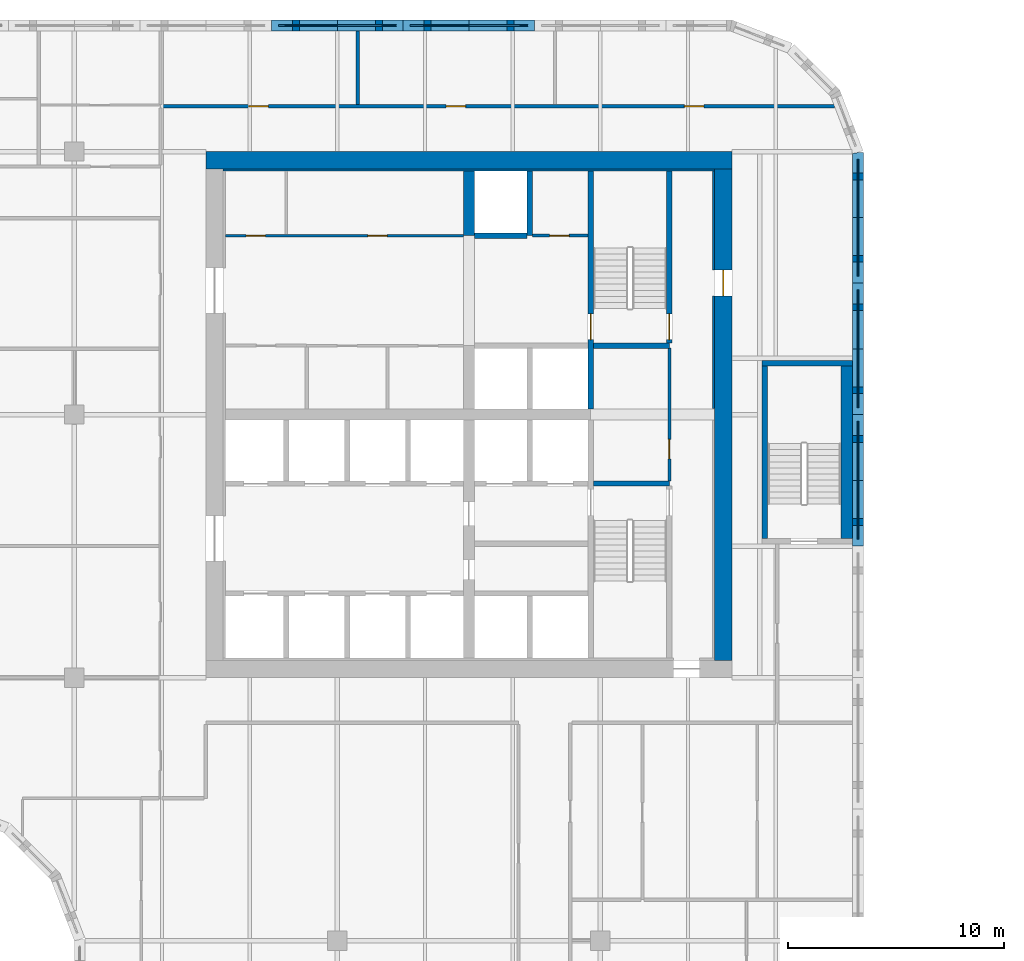
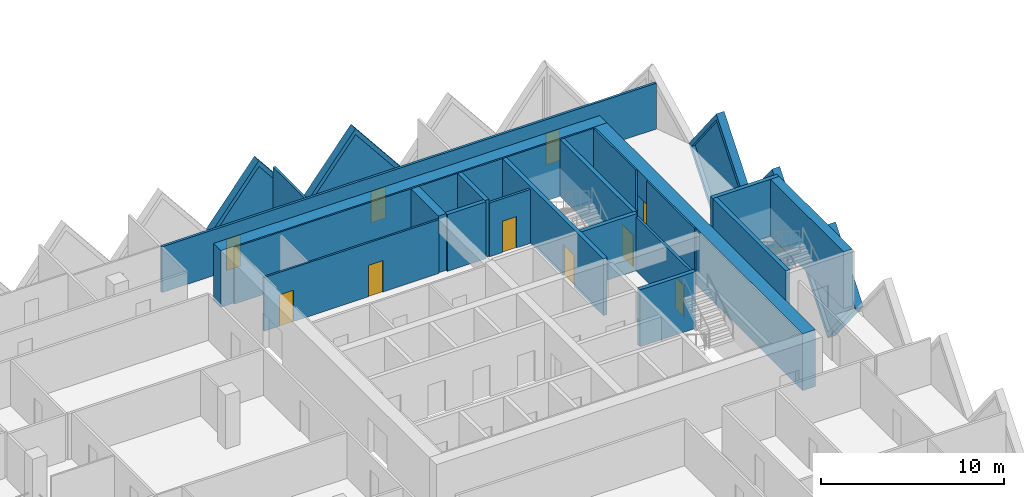
# One storey, part 10 of 18: 25 walls, 10 doors, 5 plates, 15 openings.
"""IFC4 building model written with IfcOpenShell, lengths in metres."""

import ifcopenshell
import ifcopenshell.guid

model = None  # the IFC model being written
_history = None  # IfcOwnerHistory: only IFC2X3 demands one
_inside = {}  # id of a spatial element -> (the spatial element, [elements in it])
_under = {}  # id of a project, library or spatial element -> (it, [spatial elements below it])
_declared = {}  # id of a project -> (the project, [libraries it declares])
_typed = {}  # id of a type object -> (the type object, [elements of that type])
_made_of = {}  # id of a material, layer set ... -> (it, [elements and type objects made of it])


def new_model(schema):
    """Start an empty IFC model of exactly this schema.

    Asked for "IFC4X3", IfcOpenShell would pick the latest addendum, in which some entities
    have other attributes; the version numbers below select the first issue.
    IFC2X3 requires an IfcOwnerHistory on every rooted entity: one is made here for all.
    """
    global model, _history
    if schema == "IFC4X3":
        model = ifcopenshell.file(schema_version=(4, 3, 0, 0))
    else:
        model = ifcopenshell.file(schema=schema)
    _inside.clear()
    _under.clear()
    _declared.clear()
    _typed.clear()
    _made_of.clear()
    _history = None
    if model.schema == "IFC2X3":
        org = make("IfcOrganization", Name="unknown")
        user = make(
            "IfcPersonAndOrganization",
            ThePerson=make("IfcPerson", FamilyName="unknown"),
            TheOrganization=org,
        )
        app = make(
            "IfcApplication",
            ApplicationDeveloper=org,
            Version="unknown",
            ApplicationFullName="unknown",
            ApplicationIdentifier="unknown",
        )
        _history = make(
            "IfcOwnerHistory",
            OwningUser=user,
            OwningApplication=app,
            ChangeAction="ADDED",
            CreationDate=0,
        )
    return model


def make(cls, **values):
    """One entity of the class cls with the attributes given. An attribute that is None is left unset."""
    return model.create_entity(
        cls, **{name: value for name, value in values.items() if value is not None}
    )


def rooted(cls, **values):
    """An entity with a GlobalId (a new one), such as an element, a storey or a relation."""
    return make(cls, GlobalId=ifcopenshell.guid.new(), OwnerHistory=_history, **values)


def si_unit(unit_type, name, prefix=None):
    """IfcSIUnit, for example si_unit("LENGTHUNIT", "METRE", prefix="MILLI")."""
    return make("IfcSIUnit", UnitType=unit_type, Prefix=prefix, Name=name)


def assignment(units):
    """IfcUnitAssignment: the units of a project."""
    return None if units is None else make("IfcUnitAssignment", Units=units)


def point(xyz):
    """IfcCartesianPoint."""
    return None if xyz is None else make("IfcCartesianPoint", Coordinates=xyz)


def direction(xyz):
    """IfcDirection."""
    return None if xyz is None else make("IfcDirection", DirectionRatios=xyz)


def frame(location, z_axis=None, x_axis=None):
    """IfcAxis2Placement3D, a coordinate frame: its origin and axes. An axis left out is left unset."""
    return make(
        "IfcAxis2Placement3D",
        Location=point(location),
        Axis=direction(z_axis),
        RefDirection=direction(x_axis),
    )


def frame_2d(location, x_axis=None):
    """IfcAxis2Placement2D, a coordinate frame in the plane: its origin and x axis."""
    return make(
        "IfcAxis2Placement2D", Location=point(location), RefDirection=direction(x_axis)
    )


def origin():
    """The frame at (0, 0, 0) with its axes left unset."""
    return frame((0.0, 0.0, 0.0))


def place(relative_to, where):
    """IfcLocalPlacement: puts the frame where relative to a parent placement (None: the world)."""
    return make(
        "IfcLocalPlacement", PlacementRelTo=relative_to, RelativePlacement=where
    )


def context(
    kind, dimensions, precision=None, world=None, true_north=None, identifier=None
):
    """IfcGeometricRepresentationContext, for example the 3D "Model" context."""
    return make(
        "IfcGeometricRepresentationContext",
        ContextIdentifier=identifier,
        ContextType=kind,
        CoordinateSpaceDimension=dimensions,
        Precision=precision,
        WorldCoordinateSystem=world,
        TrueNorth=true_north,
    )


def subcontext(parent, identifier, kind, view, scale=None):
    """IfcGeometricRepresentationSubContext, for example "Body" below "Model"."""
    return make(
        "IfcGeometricRepresentationSubContext",
        ContextIdentifier=identifier,
        ContextType=kind,
        ParentContext=parent,
        TargetScale=scale,
        TargetView=view,
    )


def project(units=None, contexts=None):
    """IfcProject with its units and contexts."""
    return rooted(
        "IfcProject",
        Name="project",
        RepresentationContexts=contexts,
        UnitsInContext=assignment(units),
    )


def spatial(cls, under=None, at=None, **own):
    """A site, building, storey or space (cls), placed at a placement, below another one or the project."""
    s = rooted(cls, ObjectPlacement=at, **own)
    if under is not None:
        _under.setdefault(under.id(), (under, []))[1].append(s)
    return s


def polyline(points):
    """IfcPolyline through the points."""
    return make("IfcPolyline", Points=[point(p) for p in points])


def profile(cls, at=None, kind="AREA", **sizes):
    """A parametric profile (cls). Its sizes go by their IFC names, for example OverallWidth=200.0."""
    return make(cls, ProfileType=kind, Position=at, **sizes)


def rectangle(**sizes):
    """IfcRectangleProfileDef."""
    return profile("IfcRectangleProfileDef", **sizes)


def outline(outer, holes=None, kind="AREA"):
    """IfcArbitraryClosedProfileDef: a profile drawn as a closed curve; with holes, ...WithVoids."""
    if holes is None:
        return make("IfcArbitraryClosedProfileDef", ProfileType=kind, OuterCurve=outer)
    return make(
        "IfcArbitraryProfileDefWithVoids",
        ProfileType=kind,
        OuterCurve=outer,
        InnerCurves=holes,
    )


def extrude(swept, where, along, depth):
    """IfcExtrudedAreaSolid: the profile swept, set in the frame where, extruded along a direction by depth."""
    return make(
        "IfcExtrudedAreaSolid",
        SweptArea=swept,
        Position=where,
        ExtrudedDirection=direction(along),
        Depth=depth,
    )


def faces_of(points, faces, orient=None, outer=None):
    """IfcFace entities. A face is a list of loops; a loop is a list of indices into points, from 0.

    orient and outer hold one flag for each loop. By default every Orientation is true, the
    first loop of a face is its IfcFaceOuterBound and the others are IfcFaceBound.
    """
    made = []
    for i, loops in enumerate(faces):
        bounds = []
        for j, loop in enumerate(loops):
            is_outer = j == 0 if outer is None else outer[i][j]
            bounds.append(
                make(
                    "IfcFaceOuterBound" if is_outer else "IfcFaceBound",
                    Bound=make("IfcPolyLoop", Polygon=[points[k] for k in loop]),
                    Orientation=True if orient is None else orient[i][j],
                )
            )
        made.append(make("IfcFace", Bounds=bounds))
    return made


def faceted_brep(points, faces, orient=None, outer=None, voids=None):
    """IfcFacetedBrep: a solid bounded by flat faces; with voids (closed shells), ...WithVoids."""
    shared = [point(p) for p in points]
    hull = make("IfcClosedShell", CfsFaces=faces_of(shared, faces, orient, outer))
    if voids is None:
        return make("IfcFacetedBrep", Outer=hull)
    return make(
        "IfcFacetedBrepWithVoids",
        Outer=hull,
        Voids=[
            make(cls, CfsFaces=faces_of(shared, fs, o, b)) for cls, fs, o, b in voids
        ],
    )


def shape(context_of_items, identifier, shape_type, items):
    """IfcShapeRepresentation: the items that make up one representation, for example the "Body"."""
    return make(
        "IfcShapeRepresentation",
        ContextOfItems=context_of_items,
        RepresentationIdentifier=identifier,
        RepresentationType=shape_type,
        Items=items,
    )


def source(mapping_origin, context_of_items, identifier, shape_type, items):
    """IfcRepresentationMap: a shape defined once, which mapped items show again and again."""
    return make(
        "IfcRepresentationMap",
        MappingOrigin=mapping_origin,
        MappedRepresentation=shape(context_of_items, identifier, shape_type, items),
    )


def transform(
    local_origin,
    x_axis=None,
    y_axis=None,
    z_axis=None,
    scale=None,
    scale2=None,
    scale3=None,
    uniform=True,
):
    """IfcCartesianTransformationOperator3D, or its non-uniform kind. x_axis, y_axis, z_axis: its Axis1, 2, 3."""
    if uniform:
        return make(
            "IfcCartesianTransformationOperator3D",
            Axis1=direction(x_axis),
            Axis2=direction(y_axis),
            LocalOrigin=point(local_origin),
            Scale=scale,
            Axis3=direction(z_axis),
        )
    return make(
        "IfcCartesianTransformationOperator3DnonUniform",
        Axis1=direction(x_axis),
        Axis2=direction(y_axis),
        LocalOrigin=point(local_origin),
        Scale=scale,
        Axis3=direction(z_axis),
        Scale2=scale2,
        Scale3=scale3,
    )


def mapped(mapping_source, mapping_target):
    """IfcMappedItem: shows the shape of a source again, moved by a transform."""
    return make(
        "IfcMappedItem", MappingSource=mapping_source, MappingTarget=mapping_target
    )


def material(Name=None, Category=None):
    """IfcMaterial."""
    return make("IfcMaterial", Name=Name, Category=Category)


def layer(
    of_material, thickness, ventilated=None, Name=None, Category=None, Priority=None
):
    """IfcMaterialLayer: one layer of a wall or slab, of a material (None: an air gap)."""
    return make(
        "IfcMaterialLayer",
        Material=of_material,
        LayerThickness=thickness,
        IsVentilated=ventilated,
        Name=Name,
        Category=Category,
        Priority=Priority,
    )


def layer_set(layers, Name=None):
    """IfcMaterialLayerSet."""
    return make("IfcMaterialLayerSet", MaterialLayers=layers, LayerSetName=Name)


def made_of(thing, what):
    """Note that an element or type object is made of a material, layer set ...; save() writes the relation."""
    if what is not None:
        _made_of.setdefault(what.id(), (what, []))[1].append(thing)
    return thing


def type_object(cls, material=None, **own):
    """A type object (cls), such as IfcWallType, which elements share."""
    return made_of(rooted(cls, **own), material)


def element(
    cls,
    number,
    at=None,
    inside=None,
    cuts=None,
    type_object=None,
    material=None,
    context=None,
    identifier="Body",
    shape_type=None,
    held_by="IfcProductDefinitionShape",
    body=None,
    shapes=None,
    **own,
):
    """One element of the class cls, such as IfcWall. Its Tag is "e" and its number.

    at: its placement. inside: the storey or other place that contains it. cuts: it is an
    opening in that element (IfcRelVoidsElement). A single representation is given by context,
    identifier, shape_type and body (its items); several are given by shapes. held_by: the class
    of the entity that holds the representations. save() writes the other relations.
    """
    e = rooted(cls, Tag="e%d" % number, ObjectPlacement=at, **own)
    if body is not None:
        shapes = [shape(context, identifier, shape_type, body)]
    if shapes is not None:
        e.Representation = make(held_by, Representations=shapes)
    if inside is not None:
        _inside.setdefault(inside.id(), (inside, []))[1].append(e)
    if cuts is not None:
        rooted(
            "IfcRelVoidsElement", RelatingBuildingElement=cuts, RelatedOpeningElement=e
        )
    if type_object is not None:
        _typed.setdefault(type_object.id(), (type_object, []))[1].append(e)
    return made_of(e, material)


def fill(opening, filler):
    """IfcRelFillsElement: the door or window that sits in an opening."""
    return rooted(
        "IfcRelFillsElement",
        RelatingOpeningElement=opening,
        RelatedBuildingElement=filler,
    )


def aggregate(whole, parts):
    """IfcRelAggregates: a whole, such as a stair, and the parts it consists of."""
    return rooted("IfcRelAggregates", RelatingObject=whole, RelatedObjects=parts)


def save(model, path):
    """Write the relations noted so far, then the file.

    IfcRelAggregates (storeys below a building ...), IfcRelContainedInSpatialStructure (elements
    in a storey), IfcRelDefinesByType, IfcRelAssociatesMaterial and IfcRelDeclares: one each for
    every whole, place, type object, material and project.
    """
    for whole, parts in _under.values():
        aggregate(whole, parts)
    for where, things in _inside.values():
        rooted(
            "IfcRelContainedInSpatialStructure",
            RelatedElements=things,
            RelatingStructure=where,
        )
    for kind, things in _typed.values():
        rooted("IfcRelDefinesByType", RelatedObjects=things, RelatingType=kind)
    for what, things in _made_of.values():
        rooted("IfcRelAssociatesMaterial", RelatedObjects=things, RelatingMaterial=what)
    for by, libraries in _declared.values():
        rooted("IfcRelDeclares", RelatingContext=by, RelatedDefinitions=libraries)
    model.write(path)


model = new_model("IFC4")

# Units and contexts
model_context = context("Model", 3, precision=1e-05, world=origin(), true_north=direction((0.0, 1.0)))
body_context = subcontext(model_context, "Body", "Model", "MODEL_VIEW")
ifc_project = project(units=[si_unit("LENGTHUNIT", "METRE"), si_unit("AREAUNIT", "SQUARE_METRE"), si_unit("VOLUMEUNIT", "CUBIC_METRE"), si_unit("PLANEANGLEUNIT", "RADIAN"), si_unit("MASSUNIT", "GRAM", prefix="KILO")], contexts=[model_context])

# Site, building, storey
site_placement = place(None, origin())
site = spatial("IfcSite", under=ifc_project, at=site_placement, CompositionType="ELEMENT")
building_placement = place(site_placement, origin())
building = spatial("IfcBuilding", under=site, at=building_placement, Name="Tessera Gate Towers", CompositionType="ELEMENT")
storey_placement = place(building_placement, frame((0.0, 0.0, 99.0)))
storey = spatial("IfcBuildingStorey", under=building, at=storey_placement, Name="L24", CompositionType="ELEMENT", Elevation=99.0)

# Wall, opening, door
ifc_material_1 = material(Name="Concrete C40/50", Category="concrete")
ifc_layer_1 = layer(ifc_material_1, 0.25)
ifc_layer_set_1 = layer_set([ifc_layer_1], Name="CORE ENCLOSURE WALL 250")
wall_type_1 = type_object("IfcWallType", Name="CORE ENCLOSURE WALL 250", PredefinedType="SOLIDWALL", material=ifc_layer_set_1)
wall_1_placement = place(storey_placement, frame((48.35009765625, 47.89990234375, 0.0), z_axis=(0.0, 0.0, 1.0), x_axis=(0.0, -1.0, 0.0)))
wall_1 = element("IfcWall", 1, at=wall_1_placement, inside=storey, type_object=wall_type_1, Name="L24 shaft and stair enclosure wall", PredefinedType="SOLIDWALL", context=body_context, shape_type="SweptSolid", body=[
    extrude(rectangle(XDim=11.0498046875, YDim=0.25, at=frame_2d((5.52490234375, 0.0))), origin(), (0.0, 0.0, 1.0), 3.800048828125),
])
shared_shape_1 = source(origin(), body_context, "Body", "SweptSolid", [
    extrude(rectangle(XDim=1.199951171875, YDim=2.10009765625, at=frame_2d((0.60009765625, 1.050048828125))), frame((0.0, 0.135009765625, 0.0), z_axis=(0.0, -1.0, 0.0), x_axis=(1.0, 0.0, 0.0)), (0.0, 0.0, 1.0), 0.27001953125),
])
opening_1_placement = place(wall_1_placement, frame((6.625, 0.0, 0.0)))
opening_1 = element("IfcOpeningElement", 2, at=opening_1_placement, cuts=wall_1, Name="Opening SD-ST2-1", PredefinedType="OPENING", context=body_context, shape_type="MappedRepresentation", body=[
    mapped(shared_shape_1, transform((0.0, 0.0, 0.0), scale=1.0)),
])
ifc_material_2 = material(Name="Hollow steel fire door", Category="steel")
door_type_1 = type_object("IfcDoorType", Name="CORE DOOR SD 1200x2100", OperationType="NOTDEFINED", PredefinedType="DOOR", material=ifc_material_2)
shared_shape_2 = source(origin(), body_context, "Body", "SweptSolid", [
    extrude(rectangle(XDim=1.199951171875, YDim=2.10009765625, at=frame_2d((0.60009765625, 1.050048828125))), frame((0.0, 0.02490234375, 0.0), z_axis=(0.0, -1.0, 0.0), x_axis=(1.0, 0.0, 0.0)), (0.0, 0.0, 1.0), 0.050048828125),
])
door_1_placement = place(opening_1_placement, origin())
door_1 = element("IfcDoor", 3, at=door_1_placement, inside=storey, type_object=door_type_1, Name="Stair door", OperationType="SINGLE_SWING_RIGHT", OverallHeight=2.10009765625, OverallWidth=1.199951171875, PredefinedType="DOOR", context=body_context, shape_type="MappedRepresentation", body=[
    mapped(shared_shape_2, transform((0.0, 0.0, 0.0), scale=1.0)),
])
fill(opening_1, door_1)

# Walls
for number, where, z_axis, x_axis, name in (
    (4, (48.47509765625, 33.39990234375, 0.0), (0.0, 0.0, 1.0), (1.0, 0.0, 0.0), "L24 shaft and stair enclosure wall"),
    (5, (48.47509765625, 39.800048828125, 0.0), (0.0, 0.0, 1.0), (1.0, 0.0, 0.0), "L24 shaft and stair enclosure wall"),
):
    element("IfcWall", number, at=place(storey_placement, frame(where, z_axis=z_axis, x_axis=x_axis)), inside=storey, type_object=wall_type_1, Name=name, PredefinedType="SOLIDWALL", context=body_context, shape_type="SweptSolid", body=[
        extrude(rectangle(XDim=3.52490234375, YDim=0.25, at=frame_2d((1.762451171875, 0.0))), origin(), (0.0, 0.0, 1.0), 3.800048828125),
    ])

# Wall, opening, door
wall_2_placement = place(storey_placement, frame((52.0, 39.925048828125, 0.0), z_axis=(0.0, 0.0, 1.0), x_axis=(0.0, 1.0, 0.0)))
wall_2 = element("IfcWall", 6, at=wall_2_placement, inside=storey, type_object=wall_type_1, Name="L24 shaft and stair enclosure wall", PredefinedType="SOLIDWALL", context=body_context, shape_type="SweptSolid", body=[
    extrude(rectangle(XDim=7.974853515625, YDim=0.25, at=frame_2d((3.9873046875, 0.0))), origin(), (0.0, 0.0, 1.0), 3.800048828125),
])
opening_2_placement = place(wall_2_placement, frame((0.14990234375, 0.0, 0.0)))
opening_2 = element("IfcOpeningElement", 7, at=opening_2_placement, cuts=wall_2, Name="Opening SD-ST2-2", PredefinedType="OPENING", context=body_context, shape_type="MappedRepresentation", body=[
    mapped(shared_shape_1, transform((0.0, 0.0, 0.0), scale=1.0)),
])
door_2_placement = place(opening_2_placement, origin())
door_2 = element("IfcDoor", 8, at=door_2_placement, inside=storey, type_object=door_type_1, Name="Stair door", OperationType="SINGLE_SWING_LEFT", OverallHeight=2.10009765625, OverallWidth=1.199951171875, PredefinedType="DOOR", context=body_context, shape_type="MappedRepresentation", body=[
    mapped(shared_shape_2, transform((0.0, 0.0, 0.0), scale=1.0)),
])
fill(opening_2, door_2)

# Walls
wall_3_placement = place(storey_placement, frame((45.52490234375, 44.89990234375, 0.0), z_axis=(0.0, 0.0, 1.0), x_axis=(0.0, 1.0, 0.0)))
element("IfcWall", 9, at=wall_3_placement, inside=storey, type_object=wall_type_1, Name="L24 shaft and stair enclosure wall", PredefinedType="SOLIDWALL", context=body_context, shape_type="SweptSolid", body=[
    extrude(rectangle(XDim=3.0, YDim=0.25, at=frame_2d((1.5, 0.0))), origin(), (0.0, 0.0, 1.0), 3.800048828125),
])
wall_4_placement = place(storey_placement, frame((42.949951171875, 44.89990234375, 0.0), z_axis=(0.0, 0.0, 1.0), x_axis=(1.0, 0.0, 0.0)))
element("IfcWall", 10, at=wall_4_placement, inside=storey, type_object=wall_type_1, Name="L24 shaft and stair enclosure wall", PredefinedType="SOLIDWALL", context=body_context, shape_type="SweptSolid", body=[
    extrude(rectangle(XDim=2.449951171875, YDim=0.25, at=frame_2d((1.22509765625, 0.0))), origin(), (0.0, 0.0, 1.0), 3.800048828125),
])
wall_5_placement = place(storey_placement, frame((56.425048828125, 30.85009765625, 0.0), z_axis=(0.0, 0.0, 1.0), x_axis=(0.0, 1.0, 0.0)))
element("IfcWall", 11, at=wall_5_placement, inside=storey, type_object=wall_type_1, Name="L24 ST5 enclosure wall", PredefinedType="SOLIDWALL", context=body_context, shape_type="SweptSolid", body=[
    extrude(rectangle(XDim=8.0, YDim=0.25, at=frame_2d((4.0, 0.0))), origin(), (0.0, 0.0, 1.0), 3.800048828125),
])
wall_6_placement = place(storey_placement, frame((56.300048828125, 38.97509765625, 0.0), z_axis=(0.0, 0.0, 1.0), x_axis=(1.0, 0.0, 0.0)))
element("IfcWall", 12, at=wall_6_placement, inside=storey, type_object=wall_type_1, Name="L24 ST5 enclosure wall", PredefinedType="SOLIDWALL", context=body_context, shape_type="SweptSolid", body=[
    extrude(rectangle(XDim=4.199951171875, YDim=0.25, at=frame_2d((2.10009765625, 0.0))), origin(), (0.0, 0.0, 1.0), 3.800048828125),
])
ifc_material_3 = material(Name="Concrete C40/50", Category="concrete")
ifc_layer_2 = layer(ifc_material_3, 0.550048828125)
ifc_layer_set_2 = layer_set([ifc_layer_2], Name="CORE ENCLOSURE WALL 550")
wall_type_2 = type_object("IfcWallType", Name="CORE ENCLOSURE WALL 550", PredefinedType="SOLIDWALL", material=ifc_layer_set_2)
wall_7_placement = place(storey_placement, frame((60.22509765625, 38.85009765625, 0.0), z_axis=(0.0, 0.0, 1.0), x_axis=(0.0, -1.0, 0.0)))
element("IfcWall", 13, at=wall_7_placement, inside=storey, type_object=wall_type_2, Name="L24 ST5 enclosure wall", PredefinedType="SOLIDWALL", context=body_context, shape_type="SweptSolid", body=[
    extrude(rectangle(XDim=8.0, YDim=0.550048828125, at=frame_2d((4.0, 0.0))), origin(), (0.0, 0.0, 1.0), 3.800048828125),
])

# Wall, openings, doors
ifc_material_4 = material(Name="Gypsum board on steel studs", Category="steel")
ifc_layer_3 = layer(ifc_material_4, 0.1201171875)
ifc_layer_set_3 = layer_set([ifc_layer_3], Name="CORE PARTITION 120")
wall_type_3 = type_object("IfcWallType", Name="CORE PARTITION 120", PredefinedType="PARTITIONING", material=ifc_layer_set_3)
wall_8_placement = place(storey_placement, frame((31.39990234375, 44.89990234375, 0.0), z_axis=(0.0, 0.0, 1.0), x_axis=(1.0, 0.0, 0.0)))
wall_8 = element("IfcWall", 14, at=wall_8_placement, inside=storey, type_object=wall_type_3, Name="L24 core partition", PredefinedType="PARTITIONING", context=body_context, shape_type="SweptSolid", body=[
    extrude(rectangle(XDim=11.050048828125, YDim=0.1201171875, at=frame_2d((5.52490234375, 0.0))), origin(), (0.0, 0.0, 1.0), 3.60009765625),
])
shared_shape_3 = source(origin(), body_context, "Body", "SweptSolid", [
    extrude(rectangle(XDim=0.89990234375, YDim=2.10009765625, at=frame_2d((0.449951171875, 1.050048828125))), frame((0.0, 0.070068359375, 0.0), z_axis=(0.0, -1.0, 0.0), x_axis=(1.0, 0.0, 0.0)), (0.0, 0.0, 1.0), 0.14013671875),
])
opening_3_placement = place(wall_8_placement, frame((0.96240234375, 0.0, 0.0)))
opening_3 = element("IfcOpeningElement", 15, at=opening_3_placement, cuts=wall_8, Name="Opening RD-T1-16-07", PredefinedType="OPENING", context=body_context, shape_type="MappedRepresentation", body=[
    mapped(shared_shape_3, transform((0.0, 0.0, 0.0), scale=1.0)),
])
opening_4_placement = place(wall_8_placement, frame((6.612548828125, 0.0, 0.0)))
opening_4 = element("IfcOpeningElement", 16, at=opening_4_placement, cuts=wall_8, Name="Opening RD-T1-16-08", PredefinedType="OPENING", context=body_context, shape_type="MappedRepresentation", body=[
    mapped(shared_shape_3, transform((0.0, 0.0, 0.0), scale=1.0)),
])
ifc_material_5 = material(Name="Hollow steel fire door", Category="steel")
door_type_2 = type_object("IfcDoorType", Name="CORE DOOR RD 900x2100", OperationType="NOTDEFINED", PredefinedType="DOOR", material=ifc_material_5)
shared_shape_4 = source(origin(), body_context, "Body", "SweptSolid", [
    extrude(rectangle(XDim=0.89990234375, YDim=2.10009765625, at=frame_2d((0.449951171875, 1.050048828125))), frame((0.0, 0.02490234375, 0.0), z_axis=(0.0, -1.0, 0.0), x_axis=(1.0, 0.0, 0.0)), (0.0, 0.0, 1.0), 0.050048828125),
])
door_3_placement = place(opening_3_placement, origin())
door_3 = element("IfcDoor", 17, at=door_3_placement, inside=storey, type_object=door_type_2, Name="Core room door", OperationType="SINGLE_SWING_LEFT", OverallHeight=2.10009765625, OverallWidth=0.89990234375, PredefinedType="DOOR", context=body_context, shape_type="MappedRepresentation", body=[
    mapped(shared_shape_4, transform((0.0, 0.0, 0.0), scale=1.0)),
])
fill(opening_3, door_3)
door_4_placement = place(opening_4_placement, origin())
door_4 = element("IfcDoor", 18, at=door_4_placement, inside=storey, type_object=door_type_2, Name="Core room door", OperationType="SINGLE_SWING_RIGHT", OverallHeight=2.10009765625, OverallWidth=0.89990234375, PredefinedType="DOOR", context=body_context, shape_type="MappedRepresentation", body=[
    mapped(shared_shape_4, transform((0.0, 0.0, 0.0), scale=1.0)),
])
fill(opening_4, door_4)

# Wall
ifc_material_6 = material(Name="Concrete C60/75", Category="concrete")
ifc_layer_4 = layer(ifc_material_6, 0.800048828125)
ifc_layer_set_4 = layer_set([ifc_layer_4], Name="CORE SHEAR WALL 800 C60/75")
wall_type_4 = type_object("IfcWallType", Name="CORE SHEAR WALL 800 C60/75", PredefinedType="SHEAR", material=ifc_layer_set_4)
wall_9_placement = place(storey_placement, frame((30.5, 48.39990234375, 0.0), z_axis=(0.0, 0.0, 1.0), x_axis=(1.0, 0.0, 0.0)))
element("IfcWall", 19, at=wall_9_placement, inside=storey, type_object=wall_type_4, Name="Core wall N L24", PredefinedType="SHEAR", context=body_context, shape_type="SweptSolid", body=[
    extrude(rectangle(XDim=24.39990234375, YDim=0.800048828125, at=frame_2d((12.199951171875, 0.0))), origin(), (0.0, 0.0, 1.0), 3.800048828125),
])

# Wall, opening, door
wall_10_placement = place(storey_placement, frame((54.5, 48.0, 0.0), z_axis=(0.0, 0.0, 1.0), x_axis=(0.0, -1.0, 0.0)))
wall_10 = element("IfcWall", 20, at=wall_10_placement, inside=storey, type_object=wall_type_4, Name="Core wall E L24", PredefinedType="SHEAR", context=body_context, shape_type="SweptSolid", body=[
    extrude(rectangle(XDim=22.800048828125, YDim=0.800048828125, at=frame_2d((11.39990234375, 0.0))), origin(), (0.0, 0.0, 1.0), 3.800048828125),
])
shared_shape_5 = source(origin(), body_context, "Body", "SweptSolid", [
    extrude(rectangle(XDim=1.199951171875, YDim=2.10009765625, at=frame_2d((0.60009765625, 1.050048828125))), frame((0.0, 0.409912109375, 0.0), z_axis=(0.0, -1.0, 0.0), x_axis=(1.0, 0.0, 0.0)), (0.0, 0.0, 1.0), 0.820068359375),
])
opening_5_placement = place(wall_10_placement, frame((4.699951171875, 0.0, 0.0)))
opening_5 = element("IfcOpeningElement", 21, at=opening_5_placement, cuts=wall_10, Name="Opening ED-T1-16-04", PredefinedType="OPENING", context=body_context, shape_type="MappedRepresentation", body=[
    mapped(shared_shape_5, transform((0.0, 0.0, 0.0), scale=1.0)),
])
ifc_material_7 = material(Name="Hollow steel fire door", Category="steel")
door_type_3 = type_object("IfcDoorType", Name="CORE DOOR ED 1200x2100", OperationType="NOTDEFINED", PredefinedType="DOOR", material=ifc_material_7)
door_5_placement = place(opening_5_placement, origin())
door_5 = element("IfcDoor", 22, at=door_5_placement, inside=storey, type_object=door_type_3, Name="Core exit door", OperationType="SINGLE_SWING_LEFT", OverallHeight=2.10009765625, OverallWidth=1.199951171875, PredefinedType="DOOR", context=body_context, shape_type="MappedRepresentation", body=[
    mapped(shared_shape_2, transform((0.0, 0.0, 0.0), scale=1.0)),
])
fill(opening_5, door_5)

# Walls
ifc_material_8 = material(Name="Concrete C60/75", Category="concrete")
ifc_layer_5 = layer(ifc_material_8, 0.5)
ifc_layer_set_5 = layer_set([ifc_layer_5], Name="CORE SPINE WALL 500 C60/75")
wall_type_5 = type_object("IfcWallType", Name="CORE SPINE WALL 500 C60/75", PredefinedType="SHEAR", material=ifc_layer_set_5)
wall_11_placement = place(storey_placement, frame((42.699951171875, 44.89990234375, 0.0), z_axis=(0.0, 0.0, 1.0), x_axis=(0.0, 1.0, 0.0)))
element("IfcWall", 23, at=wall_11_placement, inside=storey, type_object=wall_type_5, Name="Core wall spine L24", PredefinedType="SHEAR", context=body_context, shape_type="SweptSolid", body=[
    extrude(rectangle(XDim=3.0, YDim=0.5, at=frame_2d((1.5, 0.0))), origin(), (0.0, 0.0, 1.0), 3.800048828125),
])
ifc_material_9 = material(Name="Concrete C60/75", Category="concrete")
ifc_layer_6 = layer(ifc_material_9, 0.10009765625)
ifc_layer_set_6 = layer_set([ifc_layer_6], Name="CORE WALL THICKENING 100")
wall_type_6 = type_object("IfcWallType", Name="CORE WALL THICKENING 100", PredefinedType="SOLIDWALL", material=ifc_layer_set_6)
wall_12_placement = place(storey_placement, frame((31.300048828125, 47.949951171875, 0.0), z_axis=(0.0, 0.0, 1.0), x_axis=(1.0, 0.0, 0.0)))
element("IfcWall", 24, at=wall_12_placement, inside=storey, type_object=wall_type_6, Name="Core wall thickening N L24", PredefinedType="SOLIDWALL", context=body_context, shape_type="SweptSolid", body=[
    extrude(rectangle(XDim=22.800048828125, YDim=0.10009765625, at=frame_2d((11.39990234375, 0.0))), origin(), (0.0, 0.0, 1.0), 3.800048828125),
])
wall_13_placement = place(storey_placement, frame((54.050048828125, 36.8798828125, 0.0), z_axis=(0.0, 0.0, 1.0), x_axis=(0.0, 1.0, 0.0)))
element("IfcWall", 25, at=wall_13_placement, inside=storey, type_object=wall_type_6, Name="Core wall thickening E L24", PredefinedType="SOLIDWALL", context=body_context, shape_type="SweptSolid", body=[
    extrude(rectangle(XDim=5.22021484375, YDim=0.10009765625, at=frame_2d((2.610107421875, 0.0))), origin(), (0.0, 0.0, 1.0), 3.800048828125),
])
wall_14_placement = place(storey_placement, frame((54.050048828125, 43.300048828125, 0.0), z_axis=(0.0, 0.0, 1.0), x_axis=(0.0, 1.0, 0.0)))
element("IfcWall", 26, at=wall_14_placement, inside=storey, type_object=wall_type_6, Name="Core wall thickening E L24", PredefinedType="SOLIDWALL", context=body_context, shape_type="SweptSolid", body=[
    extrude(rectangle(XDim=4.599853515625, YDim=0.10009765625, at=frame_2d((2.2998046875, 0.0))), origin(), (0.0, 0.0, 1.0), 3.800048828125),
])

# Wall, openings, doors
ifc_material_10 = material(Name="Gypsum board on steel studs, mineral wool", Category="steel")
ifc_layer_7 = layer(ifc_material_10, 0.14990234375)
ifc_layer_set_7 = layer_set([ifc_layer_7], Name="CORRIDOR WALL 150")
wall_type_7 = type_object("IfcWallType", Name="CORRIDOR WALL 150", PredefinedType="PARTITIONING", material=ifc_layer_set_7)
wall_15_placement = place(storey_placement, frame((28.39990234375, 50.89990234375, 0.0), z_axis=(0.0, 0.0, 1.0), x_axis=(1.0, 0.0, 0.0)))
wall_15 = element("IfcWall", 27, at=wall_15_placement, inside=storey, type_object=wall_type_7, Name="T1-L24-PW-048", PredefinedType="PARTITIONING", context=body_context, shape_type="SweptSolid", body=[
    extrude(rectangle(XDim=31.254150390625, YDim=0.14990234375, at=frame_2d((15.626953125, 0.0))), origin(), (0.0, 0.0, 1.0), 3.06689453125),
])
shared_shape_6 = source(origin(), body_context, "Body", "SweptSolid", [
    extrude(rectangle(XDim=0.89990234375, YDim=2.10009765625, at=frame_2d((0.449951171875, 1.050048828125))), frame((0.0, 0.0849609375, 0.0), z_axis=(0.0, -1.0, 0.0), x_axis=(1.0, 0.0, 0.0)), (0.0, 0.0, 1.0), 0.169921875),
])
opening_6_placement = place(wall_15_placement, frame((4.10009765625, 0.0, 0.0)))
opening_6 = element("IfcOpeningElement", 28, at=opening_6_placement, cuts=wall_15, Name="Opening D890FD60-A09-07", PredefinedType="OPENING", context=body_context, shape_type="MappedRepresentation", body=[
    mapped(shared_shape_6, transform((0.0, 0.0, 0.0), scale=1.0)),
])
opening_7_placement = place(wall_15_placement, frame((13.25, 0.0, 0.0)))
opening_7 = element("IfcOpeningElement", 29, at=opening_7_placement, cuts=wall_15, Name="Opening D890FD60-A09-08", PredefinedType="OPENING", context=body_context, shape_type="MappedRepresentation", body=[
    mapped(shared_shape_6, transform((0.0, 0.0, 0.0), scale=1.0)),
])
opening_8_placement = place(wall_15_placement, frame((24.300048828125, 0.0, 0.0)))
opening_8 = element("IfcOpeningElement", 30, at=opening_8_placement, cuts=wall_15, Name="Opening D890FD60-A09-12", PredefinedType="OPENING", context=body_context, shape_type="MappedRepresentation", body=[
    mapped(shared_shape_6, transform((0.0, 0.0, 0.0), scale=1.0)),
])
ifc_material_11 = material(Name="Timber door leaf in steel frame", Category="steel")
door_type_4 = type_object("IfcDoorType", Name="CORRIDOR DOOR 900 FD60", OperationType="NOTDEFINED", PredefinedType="DOOR", material=ifc_material_11)
door_6_placement = place(opening_6_placement, origin())
door_6 = element("IfcDoor", 31, at=door_6_placement, inside=storey, type_object=door_type_4, Name="T1-L24-PD-025", OperationType="SINGLE_SWING_LEFT", OverallHeight=2.10009765625, OverallWidth=0.89990234375, PredefinedType="DOOR", context=body_context, shape_type="MappedRepresentation", body=[
    mapped(shared_shape_4, transform((0.0, 0.0, 0.0), scale=1.0)),
])
fill(opening_6, door_6)
door_7_placement = place(opening_7_placement, origin())
door_7 = element("IfcDoor", 32, at=door_7_placement, inside=storey, type_object=door_type_4, Name="T1-L24-PD-026", OperationType="SINGLE_SWING_LEFT", OverallHeight=2.10009765625, OverallWidth=0.89990234375, PredefinedType="DOOR", context=body_context, shape_type="MappedRepresentation", body=[
    mapped(shared_shape_4, transform((0.0, 0.0, 0.0), scale=1.0)),
])
fill(opening_7, door_7)
door_8_placement = place(opening_8_placement, origin())
door_8 = element("IfcDoor", 33, at=door_8_placement, inside=storey, type_object=door_type_4, Name="T1-L24-PD-031", OperationType="SINGLE_SWING_LEFT", OverallHeight=2.10009765625, OverallWidth=0.89990234375, PredefinedType="DOOR", context=body_context, shape_type="MappedRepresentation", body=[
    mapped(shared_shape_4, transform((0.0, 0.0, 0.0), scale=1.0)),
])
fill(opening_8, door_8)

# Wall, opening, door
ifc_material_12 = material(Name="Gypsum board on steel studs", Category="steel")
ifc_layer_8 = layer(ifc_material_12, 0.14990234375)
ifc_layer_set_8 = layer_set([ifc_layer_8], Name="SERVICE ROOM WALL 150")
wall_type_8 = type_object("IfcWallType", Name="SERVICE ROOM WALL 150", PredefinedType="PARTITIONING", material=ifc_layer_set_8)
wall_16_placement = place(storey_placement, frame((52.0, 33.52490234375, 0.0), z_axis=(0.0, 0.0, 1.0), x_axis=(0.0, 1.0, 0.0)))
wall_16 = element("IfcWall", 34, at=wall_16_placement, inside=storey, type_object=wall_type_8, Name="L24 service room wall", PredefinedType="PARTITIONING", context=body_context, shape_type="SweptSolid", body=[
    extrude(rectangle(XDim=6.150146484375, YDim=0.14990234375, at=frame_2d((3.0751953125, 0.0))), origin(), (0.0, 0.0, 1.0), 3.60009765625),
])
opening_9_placement = place(wall_16_placement, frame((1.02490234375, 0.0, 0.0)))
opening_9 = element("IfcOpeningElement", 35, at=opening_9_placement, cuts=wall_16, Name="Opening RD-T1-16-11", PredefinedType="OPENING", context=body_context, shape_type="MappedRepresentation", body=[
    mapped(shared_shape_6, transform((0.0, 0.0, 0.0), scale=1.0)),
])
door_9_placement = place(opening_9_placement, origin())
door_9 = element("IfcDoor", 36, at=door_9_placement, inside=storey, type_object=door_type_2, Name="Core room door", OperationType="SINGLE_SWING_LEFT", OverallHeight=2.10009765625, OverallWidth=0.89990234375, PredefinedType="DOOR", context=body_context, shape_type="MappedRepresentation", body=[
    mapped(shared_shape_4, transform((0.0, 0.0, 0.0), scale=1.0)),
])
fill(opening_9, door_9)

wall_17_placement = place(storey_placement, frame((45.64990234375, 44.89990234375, 0.0), z_axis=(0.0, 0.0, 1.0), x_axis=(1.0, 0.0, 0.0)))
wall_17 = element("IfcWall", 37, at=wall_17_placement, inside=storey, type_object=wall_type_8, Name="L24 service room wall", PredefinedType="PARTITIONING", context=body_context, shape_type="SweptSolid", body=[
    extrude(rectangle(XDim=2.5751953125, YDim=0.14990234375, at=frame_2d((1.28759765625, 0.0))), origin(), (0.0, 0.0, 1.0), 3.60009765625),
])
opening_10_placement = place(wall_17_placement, frame((0.800048828125, 0.0, 0.0)))
opening_10 = element("IfcOpeningElement", 38, at=opening_10_placement, cuts=wall_17, Name="Opening RD-T1-16-13", PredefinedType="OPENING", context=body_context, shape_type="MappedRepresentation", body=[
    mapped(shared_shape_6, transform((0.0, 0.0, 0.0), scale=1.0)),
])
door_10_placement = place(opening_10_placement, origin())
door_10 = element("IfcDoor", 39, at=door_10_placement, inside=storey, type_object=door_type_2, Name="Core room door", OperationType="SINGLE_SWING_LEFT", OverallHeight=2.10009765625, OverallWidth=0.89990234375, PredefinedType="DOOR", context=body_context, shape_type="MappedRepresentation", body=[
    mapped(shared_shape_4, transform((0.0, 0.0, 0.0), scale=1.0)),
])
fill(opening_10, door_10)

# Wall
ifc_material_13 = material(Name="Gypsum board on steel studs, mineral wool", Category="steel")
ifc_layer_9 = layer(ifc_material_13, 0.14990234375)
ifc_layer_set_9 = layer_set([ifc_layer_9], Name="TENANCY WALL 150")
wall_type_9 = type_object("IfcWallType", Name="TENANCY WALL 150", PredefinedType="PARTITIONING", material=ifc_layer_set_9)
wall_18_placement = place(storey_placement, frame((37.550048828125, 50.97607421875, 0.0), z_axis=(0.0, 0.0, 1.0), x_axis=(0.0, 1.0, 0.0)))
element("IfcWall", 40, at=wall_18_placement, inside=storey, type_object=wall_type_9, Name="T1-L24-PW-051", PredefinedType="PARTITIONING", context=body_context, shape_type="SweptSolid", body=[
    extrude(rectangle(XDim=3.423828125, YDim=0.14990234375, at=frame_2d((1.7119140625, 0.0))), origin(), (0.0, 0.0, 1.0), 3.06689453125),
])

# Wall, opening, plate
ifc_material_14 = material(Name="Precast concrete C60/75 white", Category="concrete")
ifc_layer_10 = layer(ifc_material_14, 0.5)
ifc_layer_set_10 = layer_set([ifc_layer_10], Name="TS1 tessera")
wall_type_10 = type_object("IfcWallType", Name="TS1 tessera", PredefinedType="SOLIDWALL", material=ifc_layer_set_10)
shared_shape_7 = source(origin(), body_context, "Body", "Brep", [
    faceted_brep([(3.050048828125, -0.25, 0.0), (6.099853515625, -0.25, 3.7998046875), (6.099853515625, -0.25, 3.80029296875), (3.050048828125, -0.25, 7.60009765625), (0.0, -0.25, 3.800048828125), (0.0, 0.25, 3.800048828125), (3.050048828125, 0.25, 7.60009765625), (6.099853515625, 0.25, 3.80029296875), (6.099853515625, 0.25, 3.7998046875), (3.050048828125, 0.25, 0.0)], [[[0, 1, 2, 3, 4]], [[5, 6, 7, 8, 9]], [[9, 8, 1, 0]], [[7, 6, 3, 2]], [[6, 5, 4, 3]], [[5, 9, 0, 4]], [[1, 8, 7, 2]]]),
])
wall_19_placement = place(storey_placement, frame((60.75, 36.60009765625, -3.800048828125), z_axis=(0.0, 0.0, 1.0), x_axis=(0.0, 1.0, 0.0)))
wall_19 = element("IfcWall", 41, at=wall_19_placement, inside=storey, type_object=wall_type_10, Name="Precast tessera T1 TS1-0399", PredefinedType="SOLIDWALL", context=body_context, shape_type="MappedRepresentation", body=[
    mapped(shared_shape_7, transform((0.0, 0.0, 0.0), scale=1.0)),
])
shared_shape_8 = source(origin(), body_context, "Body", "SweptSolid", [
    extrude(outline(polyline([(3.050048828125, 0.3994140625), (5.779541015625, 3.800048828125), (3.050048828125, 7.20068359375), (0.320556640625, 3.800048828125), (3.050048828125, 0.3994140625)])), frame((0.0, 0.260009765625, 0.0), z_axis=(0.0, -1.0, 0.0), x_axis=(1.0, 0.0, 0.0)), (0.0, 0.0, 1.0), 0.52001953125),
])
opening_11_placement = place(wall_19_placement, origin())
opening_11 = element("IfcOpeningElement", 42, at=opening_11_placement, cuts=wall_19, Name="Opening T1-PL2-0813", PredefinedType="OPENING", context=body_context, shape_type="MappedRepresentation", body=[
    mapped(shared_shape_8, transform((0.0, 0.0, 0.0), scale=1.0)),
])
ifc_material_15 = material(Name="Low-e laminated glass", Category="glass")
ifc_layer_11 = layer(ifc_material_15, 0.06005859375)
ifc_layer_set_11 = layer_set([ifc_layer_11], Name="PL2 rhombic pane")
plate_type = type_object("IfcPlateType", Name="PL2 rhombic pane", PredefinedType="SHEET", material=ifc_layer_set_11)
shared_shape_9 = source(origin(), body_context, "Body", "SweptSolid", [
    extrude(outline(polyline([(3.050048828125, 0.3994140625), (5.779541015625, 3.800048828125), (3.050048828125, 7.20068359375), (0.320556640625, 3.800048828125), (3.050048828125, 0.3994140625)])), frame((0.0, 0.030029296875, 0.0), z_axis=(0.0, -1.0, 0.0), x_axis=(1.0, 0.0, 0.0)), (0.0, 0.0, 1.0), 0.06005859375),
])
plate_1_placement = place(opening_11_placement, origin())
plate_1 = element("IfcPlate", 43, at=plate_1_placement, inside=storey, type_object=plate_type, Name="Glass pane T1 PL2-0813", PredefinedType="SHEET", context=body_context, shape_type="MappedRepresentation", body=[
    mapped(shared_shape_9, transform((0.0, 0.0, 0.0), scale=1.0)),
])
fill(opening_11, plate_1)

wall_20_placement = place(storey_placement, frame((39.64990234375, 54.64990234375, -3.800048828125), z_axis=(0.0, 0.0, 1.0), x_axis=(-1.0, 0.0, 0.0)))
wall_20 = element("IfcWall", 44, at=wall_20_placement, inside=storey, type_object=wall_type_10, Name="Precast tessera T1 TS1-0403", PredefinedType="SOLIDWALL", context=body_context, shape_type="MappedRepresentation", body=[
    mapped(shared_shape_7, transform((0.0, 0.0, 0.0), scale=1.0)),
])
opening_12_placement = place(wall_20_placement, origin())
opening_12 = element("IfcOpeningElement", 45, at=opening_12_placement, cuts=wall_20, Name="Opening T1-PL2-0821", PredefinedType="OPENING", context=body_context, shape_type="MappedRepresentation", body=[
    mapped(shared_shape_8, transform((0.0, 0.0, 0.0), scale=1.0)),
])
plate_2_placement = place(opening_12_placement, origin())
plate_2 = element("IfcPlate", 46, at=plate_2_placement, inside=storey, type_object=plate_type, Name="Glass pane T1 PL2-0821", PredefinedType="SHEET", context=body_context, shape_type="MappedRepresentation", body=[
    mapped(shared_shape_9, transform((0.0, 0.0, 0.0), scale=1.0)),
])
fill(opening_12, plate_2)

shared_shape_10 = source(origin(), body_context, "Body", "SweptSolid", [
    extrude(outline(polyline([(3.050048828125, 0.0), (6.10009765625, 3.800048828125), (3.050048828125, 7.60009765625), (0.0, 3.800048828125), (3.050048828125, 0.0)])), frame((0.0, 0.25, 0.0), z_axis=(0.0, -1.0, 0.0), x_axis=(1.0, 0.0, 0.0)), (0.0, 0.0, 1.0), 0.5),
])
wall_21_placement = place(storey_placement, frame((60.75, 30.5, -3.800048828125), z_axis=(0.0, 0.0, 1.0), x_axis=(0.0, 1.0, 0.0)))
wall_21 = element("IfcWall", 47, at=wall_21_placement, inside=storey, type_object=wall_type_10, Name="Precast tessera T1 TS1-0398", PredefinedType="SOLIDWALL", context=body_context, shape_type="MappedRepresentation", body=[
    mapped(shared_shape_10, transform((0.0, 0.0, 0.0), scale=1.0)),
])
opening_13_placement = place(wall_21_placement, origin())
opening_13 = element("IfcOpeningElement", 48, at=opening_13_placement, cuts=wall_21, Name="Opening T1-PL2-0812", PredefinedType="OPENING", context=body_context, shape_type="MappedRepresentation", body=[
    mapped(shared_shape_8, transform((0.0, 0.0, 0.0), scale=1.0)),
])
plate_3_placement = place(opening_13_placement, origin())
plate_3 = element("IfcPlate", 49, at=plate_3_placement, inside=storey, type_object=plate_type, Name="Glass pane T1 PL2-0812", PredefinedType="SHEET", context=body_context, shape_type="MappedRepresentation", body=[
    mapped(shared_shape_9, transform((0.0, 0.0, 0.0), scale=1.0)),
])
fill(opening_13, plate_3)

wall_22_placement = place(storey_placement, frame((45.75, 54.64990234375, -3.800048828125), z_axis=(0.0, 0.0, 1.0), x_axis=(-1.0, 0.0, 0.0)))
wall_22 = element("IfcWall", 50, at=wall_22_placement, inside=storey, type_object=wall_type_10, Name="Precast tessera T1 TS1-0402", PredefinedType="SOLIDWALL", context=body_context, shape_type="MappedRepresentation", body=[
    mapped(shared_shape_10, transform((0.0, 0.0, 0.0), scale=1.0)),
])
opening_14_placement = place(wall_22_placement, origin())
opening_14 = element("IfcOpeningElement", 51, at=opening_14_placement, cuts=wall_22, Name="Opening T1-PL2-0820", PredefinedType="OPENING", context=body_context, shape_type="MappedRepresentation", body=[
    mapped(shared_shape_8, transform((0.0, 0.0, 0.0), scale=1.0)),
])
plate_4_placement = place(opening_14_placement, origin())
plate_4 = element("IfcPlate", 52, at=plate_4_placement, inside=storey, type_object=plate_type, Name="Glass pane T1 PL2-0820", PredefinedType="SHEET", context=body_context, shape_type="MappedRepresentation", body=[
    mapped(shared_shape_9, transform((0.0, 0.0, 0.0), scale=1.0)),
])
fill(opening_14, plate_4)

shared_shape_11 = source(origin(), body_context, "Body", "Brep", [
    faceted_brep([(3.050048828125, -0.25, 0.0), (6.053466796875, -0.25, 3.800048828125), (3.050048828125, -0.25, 7.60009765625), (0.0, -0.25, 3.800048828125), (0.0, 0.25, 3.800048828125), (3.050048828125, 0.25, 7.60009765625), (6.0068359375, 0.25, 3.85888671875), (6.0068359375, 0.25, 3.7412109375), (3.050048828125, 0.25, 0.0), (6.053466796875, 0.0, 3.800048828125)], [[[0, 1, 2, 3]], [[4, 5, 6, 7, 8]], [[8, 7, 9, 1, 0]], [[6, 5, 2, 1, 9]], [[5, 4, 3, 2]], [[4, 8, 0, 3]], [[9, 7, 6]]]),
])
wall_23_placement = place(storey_placement, frame((60.75, 42.699951171875, -3.800048828125), z_axis=(0.0, 0.0, 1.0), x_axis=(0.0, 1.0, 0.0)))
wall_23 = element("IfcWall", 53, at=wall_23_placement, inside=storey, type_object=wall_type_10, Name="Precast tessera T1 TS1-0400", PredefinedType="SOLIDWALL", context=body_context, shape_type="MappedRepresentation", body=[
    mapped(shared_shape_11, transform((0.0, 0.0, 0.0), scale=1.0)),
])
shared_shape_12 = source(origin(), body_context, "Body", "SweptSolid", [
    extrude(outline(polyline([(3.048583984375, 0.4013671875), (5.73486328125, 3.800048828125), (3.048583984375, 7.19873046875), (0.320556640625, 3.800048828125), (3.048583984375, 0.4013671875)])), frame((0.0, 0.260009765625, 0.0), z_axis=(0.0, -1.0, 0.0), x_axis=(1.0, 0.0, 0.0)), (0.0, 0.0, 1.0), 0.52001953125),
])
opening_15_placement = place(wall_23_placement, origin())
opening_15 = element("IfcOpeningElement", 54, at=opening_15_placement, cuts=wall_23, Name="Opening T1-PL2-0814", PredefinedType="OPENING", context=body_context, shape_type="MappedRepresentation", body=[
    mapped(shared_shape_12, transform((0.0, 0.0, 0.0), scale=1.0)),
])
shared_shape_13 = source(origin(), body_context, "Body", "SweptSolid", [
    extrude(outline(polyline([(3.048583984375, 0.4013671875), (5.73486328125, 3.800048828125), (3.048583984375, 7.19873046875), (0.320556640625, 3.800048828125), (3.048583984375, 0.4013671875)])), frame((0.0, 0.030029296875, 0.0), z_axis=(0.0, -1.0, 0.0), x_axis=(1.0, 0.0, 0.0)), (0.0, 0.0, 1.0), 0.06005859375),
])
plate_5_placement = place(opening_15_placement, origin())
plate_5 = element("IfcPlate", 55, at=plate_5_placement, inside=storey, type_object=plate_type, Name="Glass pane T1 PL2-0814", PredefinedType="SHEET", context=body_context, shape_type="MappedRepresentation", body=[
    mapped(shared_shape_13, transform((0.0, 0.0, 0.0), scale=1.0)),
])
fill(opening_15, plate_5)

save(model, "model.ifc")
